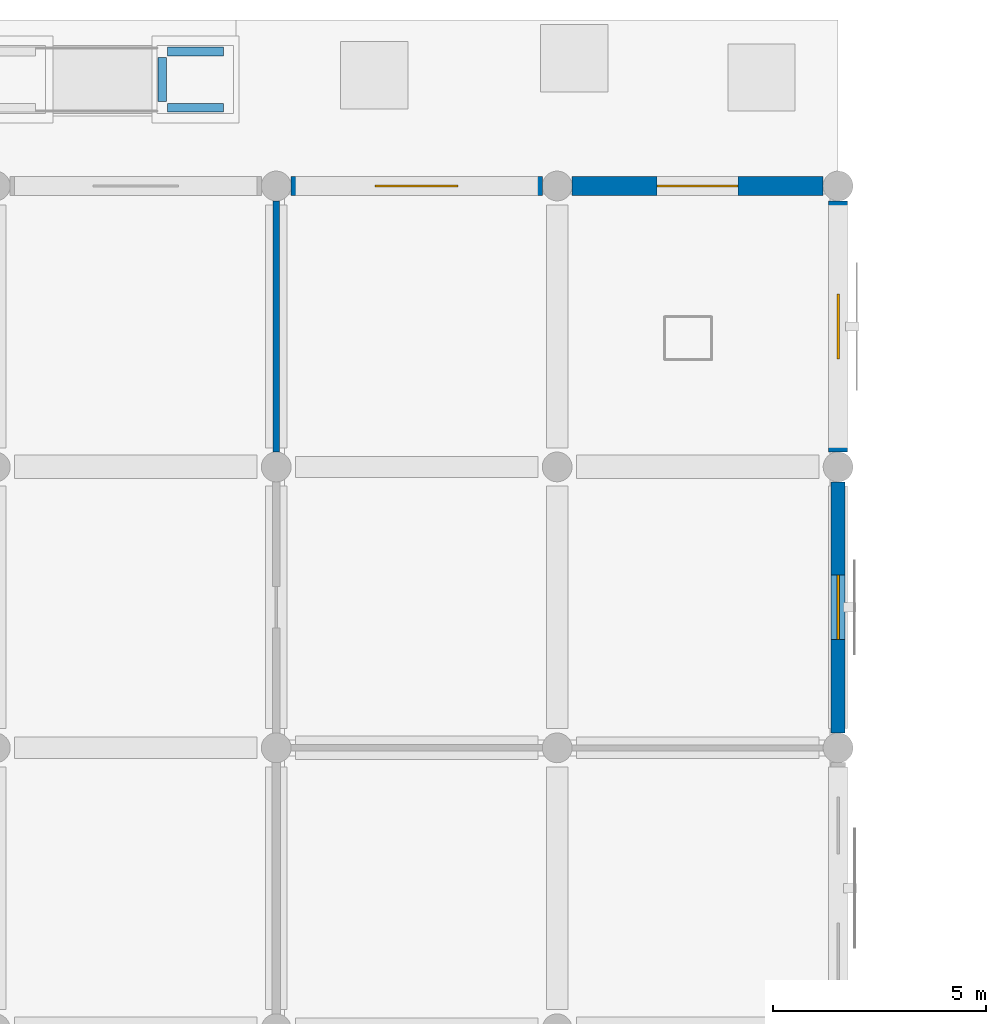
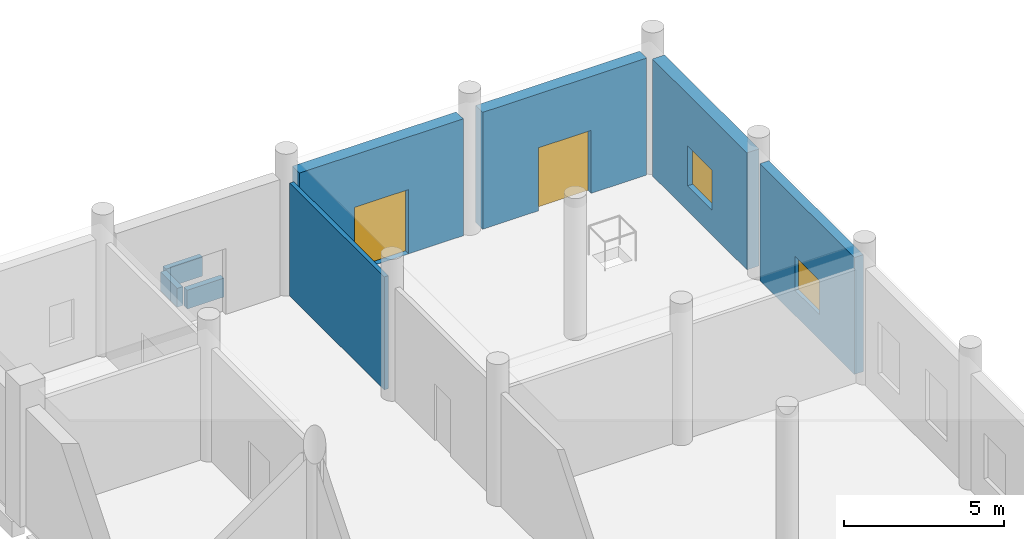
# One storey, part 18 of 28: 8 walls, 2 doors, 2 windows, 4 openings.
"""IFC4 building model written with IfcOpenShell, lengths in metres."""

from ifc_helpers import new_model, si_unit, direction, frame, frame_2d, origin, place, context, subcontext, project, spatial, rectangle, extrude, material, layer, layer_set, type_object, element, fill, save


model = new_model("IFC4")

# Units and contexts
model_context = context("Model", 3, precision=1e-05, world=origin(), true_north=direction((0.0, 1.0)))
body_context = subcontext(model_context, "Body", "Model", "MODEL_VIEW")
ifc_project = project(units=[si_unit("LENGTHUNIT", "METRE"), si_unit("AREAUNIT", "SQUARE_METRE"), si_unit("VOLUMEUNIT", "CUBIC_METRE"), si_unit("PLANEANGLEUNIT", "RADIAN"), si_unit("MASSUNIT", "GRAM", prefix="KILO")], contexts=[model_context])

# Site, building, storey
site_placement = place(None, origin())
site = spatial("IfcSite", under=ifc_project, at=site_placement, CompositionType="ELEMENT")
building_placement = place(site_placement, origin())
building = spatial("IfcBuilding", under=site, at=building_placement, Name="Rusizi Kubbe Research Institute", CompositionType="ELEMENT")
storey_placement = place(building_placement, origin())
storey = spatial("IfcBuildingStorey", under=building, at=storey_placement, Name="L00", CompositionType="ELEMENT", Elevation=0.0)

# Wall, opening, door
ifc_material_1 = material(Name="Volcanic Basalt Ashlar Masonry", Category="masonry")
ifc_layer_1 = layer(ifc_material_1, 0.43994140625)
ifc_layer_set_1 = layer_set([ifc_layer_1], Name="Volcanic Basalt Ashlar Masonry")
wall_type_1 = type_object("IfcWallType", Name="EW-01", PredefinedType="SOLIDWALL", material=ifc_layer_set_1)
wall_1_placement = place(storey_placement, frame((13.550048828125, 171.60009765625, 0.0), z_axis=(0.0, 0.0, 1.0), x_axis=(1.0, 0.0, 0.0)))
wall_1 = element("IfcWall", 1, at=wall_1_placement, inside=storey, type_object=wall_type_1, Name="Portal Vestibule Infill Wall E2", PredefinedType="SOLIDWALL", context=body_context, shape_type="SweptSolid", body=[
    extrude(rectangle(XDim=5.89990234375, YDim=0.43994140625, at=frame_2d((2.949951171875, 0.0))), origin(), (0.0, 0.0, 1.0), 4.449951171875),
])
opening_1_placement = place(wall_1_placement, frame((1.97509765625, 0.0, 0.0)))
opening_1 = element("IfcOpeningElement", 2, at=opening_1_placement, cuts=wall_1, Name="Opening D-32", PredefinedType="OPENING", context=body_context, shape_type="SweptSolid", body=[
    extrude(rectangle(XDim=1.949951171875, YDim=2.449951171875, at=frame_2d((0.97509765625, 1.22509765625))), frame((0.0, 0.22998046875, 0.0), z_axis=(0.0, -1.0, 0.0), x_axis=(1.0, 0.0, 0.0)), (0.0, 0.0, 1.0), 0.4599609375),
])
ifc_material_2 = material(Name="Insulated Steel and Laminated Safety Glass", Category="steel")
door_type_1 = type_object("IfcDoorType", Name="ED-02", OperationType="DOUBLE_DOOR_SINGLE_SWING", PredefinedType="DOOR", material=ifc_material_2)
door_1_placement = place(opening_1_placement, origin())
door_1 = element("IfcDoor", 3, at=door_1_placement, inside=storey, type_object=door_type_1, Name="Pedestrian Exit North Street Portal Door D-32", OperationType="DOUBLE_DOOR_SINGLE_SWING", OverallHeight=2.449951171875, OverallWidth=1.949951171875, PredefinedType="DOOR", context=body_context, shape_type="SweptSolid", body=[
    extrude(rectangle(XDim=1.949951171875, YDim=2.449951171875, at=frame_2d((0.97509765625, 1.22509765625))), frame((0.0, 0.02490234375, 0.0), z_axis=(0.0, -1.0, 0.0), x_axis=(1.0, 0.0, 0.0)), (0.0, 0.0, 1.0), 0.050048828125),
])
fill(opening_1, door_1)

wall_2_placement = place(storey_placement, frame((20.14990234375, 171.60009765625, 0.0), z_axis=(0.0, 0.0, 1.0), x_axis=(1.0, 0.0, 0.0)))
wall_2 = element("IfcWall", 4, at=wall_2_placement, inside=storey, type_object=wall_type_1, Name="Portal Vestibule Infill Wall E3", PredefinedType="SOLIDWALL", context=body_context, shape_type="SweptSolid", body=[
    extrude(rectangle(XDim=5.900146484375, YDim=0.43994140625, at=frame_2d((2.9501953125, 0.0))), origin(), (0.0, 0.0, 1.0), 4.449951171875),
])
opening_2_placement = place(wall_2_placement, frame((2.0, 0.0, 0.0)))
opening_2 = element("IfcOpeningElement", 5, at=opening_2_placement, cuts=wall_2, Name="Opening D-33", PredefinedType="OPENING", context=body_context, shape_type="SweptSolid", body=[
    extrude(rectangle(XDim=1.89990234375, YDim=2.39990234375, at=frame_2d((0.949951171875, 1.199951171875))), frame((0.0, 0.22998046875, 0.0), z_axis=(0.0, -1.0, 0.0), x_axis=(1.0, 0.0, 0.0)), (0.0, 0.0, 1.0), 0.4599609375),
])
ifc_material_3 = material(Name="Insulated Steel and Laminated Safety Glass", Category="steel")
door_type_2 = type_object("IfcDoorType", Name="ED-03", OperationType="DOUBLE_DOOR_SINGLE_SWING", PredefinedType="DOOR", material=ifc_material_3)
door_2_placement = place(opening_2_placement, origin())
door_2 = element("IfcDoor", 6, at=door_2_placement, inside=storey, type_object=door_type_2, Name="Pedestrian Exit North Street Portal Door D-33", OperationType="DOUBLE_DOOR_SINGLE_SWING", OverallHeight=2.39990234375, OverallWidth=1.89990234375, PredefinedType="DOOR", context=body_context, shape_type="SweptSolid", body=[
    extrude(rectangle(XDim=1.89990234375, YDim=2.39990234375, at=frame_2d((0.949951171875, 1.199951171875))), frame((0.0, 0.02490234375, 0.0), z_axis=(0.0, -1.0, 0.0), x_axis=(1.0, 0.0, 0.0)), (0.0, 0.0, 1.0), 0.050048828125),
])
fill(opening_2, door_2)

# Wall, opening, window
wall_3_placement = place(storey_placement, frame((26.39990234375, 165.35009765625, 0.0), z_axis=(0.0, 0.0, 1.0), x_axis=(0.0, 1.0, 0.0)))
wall_3 = element("IfcWall", 7, at=wall_3_placement, inside=storey, type_object=wall_type_1, Name="Ablaq Stone Exterior Wall L00 V4-25", PredefinedType="SOLIDWALL", context=body_context, shape_type="SweptSolid", body=[
    extrude(rectangle(XDim=5.89990234375, YDim=0.43994140625, at=frame_2d((2.949951171875, 0.0))), origin(), (0.0, 0.0, 1.0), 4.449951171875),
])
opening_3_placement = place(wall_3_placement, frame((2.18994140625, 0.0, 0.949951171875)))
opening_3 = element("IfcOpeningElement", 8, at=opening_3_placement, cuts=wall_3, Name="Opening WN-18", PredefinedType="OPENING", context=body_context, shape_type="SweptSolid", body=[
    extrude(rectangle(XDim=1.52001953125, YDim=1.52001953125, at=frame_2d((0.760009765625, 0.760009765625))), frame((0.0, 0.22998046875, 0.0), z_axis=(0.0, -1.0, 0.0), x_axis=(1.0, 0.0, 0.0)), (0.0, 0.0, 1.0), 0.4599609375),
])
ifc_material_4 = material(Name="Aluminium Frame and Solar-Control Double Glazing", Category="glass")
window_type_1 = type_object("IfcWindowType", Name="WN-18", PartitioningType="DOUBLE_PANEL_VERTICAL", PredefinedType="WINDOW", material=ifc_material_4)
window_1_placement = place(opening_3_placement, origin())
window_1 = element("IfcWindow", 9, at=window_1_placement, inside=storey, type_object=window_type_1, Name="Casement Window WN-18 L00", OverallHeight=1.52001953125, OverallWidth=1.52001953125, PartitioningType="DOUBLE_PANEL_VERTICAL", PredefinedType="WINDOW", context=body_context, shape_type="SweptSolid", body=[
    extrude(rectangle(XDim=1.52001953125, YDim=1.52001953125, at=frame_2d((0.760009765625, 0.760009765625))), frame((0.0, 0.030029296875, 0.0), z_axis=(0.0, -1.0, 0.0), x_axis=(1.0, 0.0, 0.0)), (0.0, 0.0, 1.0), 0.06005859375),
])
fill(opening_3, window_1)

ifc_material_5 = material(Name="Volcanic Basalt Ashlar Masonry", Category="masonry")
ifc_layer_2 = layer(ifc_material_5, 0.324951171875)
ifc_layer_set_2 = layer_set([ifc_layer_2], Name="Volcanic Basalt Ashlar Masonry")
wall_type_2 = type_object("IfcWallType", Name="EW-08", PredefinedType="SOLIDWALL", material=ifc_layer_set_2)
wall_4_placement = place(storey_placement, frame((26.39990234375, 158.75, 0.0), z_axis=(0.0, 0.0, 1.0), x_axis=(0.0, 1.0, 0.0)))
wall_4 = element("IfcWall", 10, at=wall_4_placement, inside=storey, type_object=wall_type_2, Name="Ablaq Stone Exterior Wall L00 V4-24", PredefinedType="SOLIDWALL", context=body_context, shape_type="SweptSolid", body=[
    extrude(rectangle(XDim=5.89990234375, YDim=0.324951171875, at=frame_2d((2.949951171875, 0.0))), origin(), (0.0, 0.0, 1.0), 4.449951171875),
])
opening_4_placement = place(wall_4_placement, frame((2.18994140625, 0.0, 0.949951171875)))
opening_4 = element("IfcOpeningElement", 11, at=opening_4_placement, cuts=wall_4, Name="Opening WN-17", PredefinedType="OPENING", context=body_context, shape_type="SweptSolid", body=[
    extrude(rectangle(XDim=1.52001953125, YDim=1.300048828125, at=frame_2d((0.760009765625, 0.64990234375))), frame((0.0, 0.17236328125, 0.0), z_axis=(0.0, -1.0, 0.0), x_axis=(1.0, 0.0, 0.0)), (0.0, 0.0, 1.0), 0.344970703125),
])
ifc_material_6 = material(Name="Aluminium Frame and Solar-Control Double Glazing", Category="glass")
window_type_2 = type_object("IfcWindowType", Name="WN-17", PartitioningType="DOUBLE_PANEL_VERTICAL", PredefinedType="WINDOW", material=ifc_material_6)
window_2_placement = place(opening_4_placement, origin())
window_2 = element("IfcWindow", 12, at=window_2_placement, inside=storey, type_object=window_type_2, Name="Casement Window WN-17 L00", OverallHeight=1.300048828125, OverallWidth=1.52001953125, PartitioningType="DOUBLE_PANEL_VERTICAL", PredefinedType="WINDOW", context=body_context, shape_type="SweptSolid", body=[
    extrude(rectangle(XDim=1.52001953125, YDim=1.300048828125, at=frame_2d((0.760009765625, 0.64990234375))), frame((0.0, 0.030029296875, 0.0), z_axis=(0.0, -1.0, 0.0), x_axis=(1.0, 0.0, 0.0)), (0.0, 0.0, 1.0), 0.06005859375),
])
fill(opening_4, window_2)

# Walls
ifc_material_7 = material(Name="Fire-Rated Corridor Partition", Category="masonry")
ifc_layer_3 = layer(ifc_material_7, 0.155029296875)
ifc_layer_set_3 = layer_set([ifc_layer_3], Name="Fire-Rated Corridor Partition")
wall_type_3 = type_object("IfcWallType", Name="IW-04", PredefinedType="PARTITIONING", material=ifc_layer_set_3)
wall_5_placement = place(storey_placement, frame((13.199951171875, 165.35009765625, 0.0), z_axis=(0.0, 0.0, 1.0), x_axis=(0.0, 1.0, 0.0)))
element("IfcWall", 13, at=wall_5_placement, inside=storey, type_object=wall_type_3, Name="Interior Partition Wall L00 V2-25", PredefinedType="PARTITIONING", context=body_context, shape_type="SweptSolid", body=[
    extrude(rectangle(XDim=5.89990234375, YDim=0.155029296875, at=frame_2d((2.949951171875, 0.0))), origin(), (0.0, 0.0, 1.0), 4.300048828125),
])
ifc_material_8 = material(Name="Concrete C40/50", Category="concrete")
ifc_layer_4 = layer(ifc_material_8, 0.199951171875)
ifc_layer_set_4 = layer_set([ifc_layer_4], Name="Concrete C40/50")
wall_type_4 = type_object("IfcWallType", Name="RW-STEP200", PredefinedType="SOLIDWALL", material=ifc_layer_set_4)
for number, where, z_axis, x_axis, name in (
    (14, (10.639892578125, 173.43994140625, -0.89990234375), (0.0, 0.0, 1.0), (1.0, 0.0, 0.0), "Ramp Landing Plinth Wall RAMP-NORTH-01-ARR-A"),
    (15, (10.639892578125, 174.760009765625, -0.89990234375), (0.0, 0.0, 1.0), (1.0, 0.0, 0.0), "Ramp Landing Plinth Wall RAMP-NORTH-01-ARR-B"),
):
    element("IfcWall", number, at=place(storey_placement, frame(where, z_axis=z_axis, x_axis=x_axis)), inside=storey, type_object=wall_type_4, Name=name, PredefinedType="SOLIDWALL", context=body_context, shape_type="SweptSolid", body=[
        extrude(rectangle(XDim=1.320068359375, YDim=0.199951171875, at=frame_2d((0.66015625, 0.0))), origin(), (0.0, 0.0, 1.0), 0.719970703125),
    ])
wall_6_placement = place(storey_placement, frame((10.52001953125, 173.580078125, -0.89990234375), z_axis=(0.0, 0.0, 1.0), x_axis=(0.0, 1.0, 0.0)))
element("IfcWall", 16, at=wall_6_placement, inside=storey, type_object=wall_type_4, Name="Ramp Landing Plinth Wall RAMP-NORTH-01-ARR-C", PredefinedType="SOLIDWALL", context=body_context, shape_type="SweptSolid", body=[
    extrude(rectangle(XDim=1.0400390625, YDim=0.199951171875, at=frame_2d((0.52001953125, 0.0))), origin(), (0.0, 0.0, 1.0), 0.719970703125),
])

save(model, "model.ifc")
